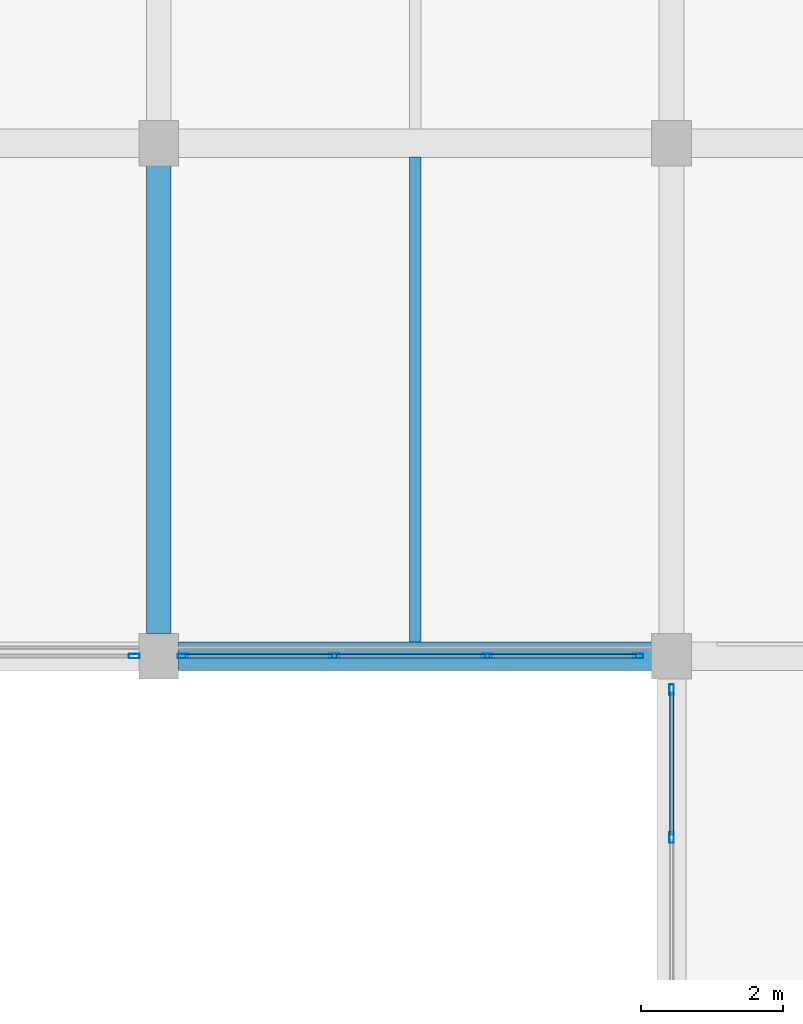
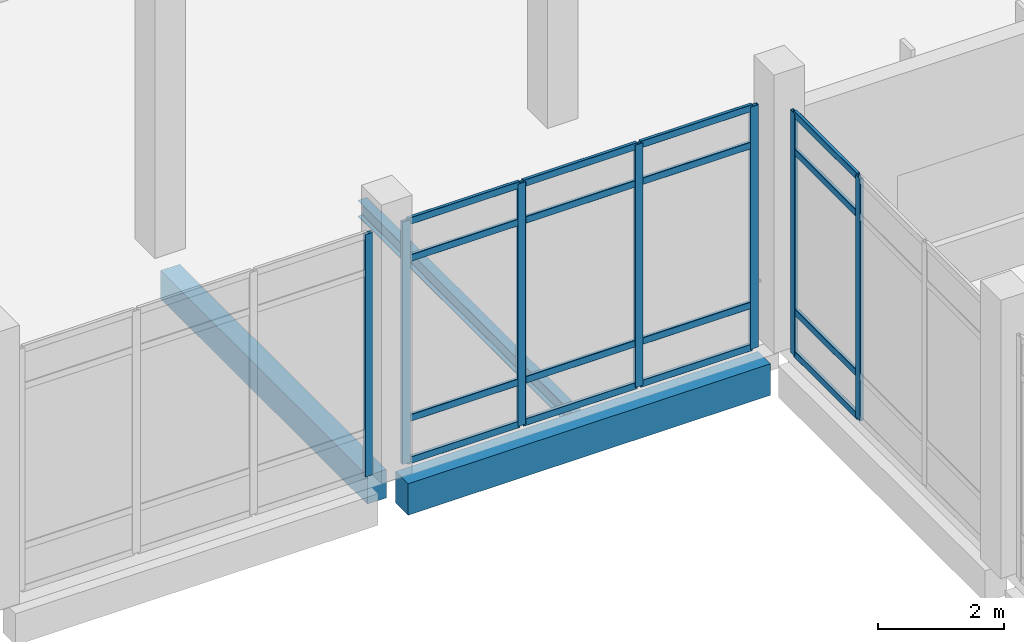
# One storey, part 117 of 180: 23 members, 3 beams, 3 elements without a shape of their own.
"""IFC4 building model written with IfcOpenShell, lengths in metres."""

import ifcopenshell
import ifcopenshell.guid

model = None  # the IFC model being written
_history = None  # IfcOwnerHistory: only IFC2X3 demands one
_inside = {}  # id of a spatial element -> (the spatial element, [elements in it])
_under = {}  # id of a project, library or spatial element -> (it, [spatial elements below it])
_declared = {}  # id of a project -> (the project, [libraries it declares])
_typed = {}  # id of a type object -> (the type object, [elements of that type])
_made_of = {}  # id of a material, layer set ... -> (it, [elements and type objects made of it])


def new_model(schema):
    """Start an empty IFC model of exactly this schema.

    Asked for "IFC4X3", IfcOpenShell would pick the latest addendum, in which some entities
    have other attributes; the version numbers below select the first issue.
    IFC2X3 requires an IfcOwnerHistory on every rooted entity: one is made here for all.
    """
    global model, _history
    if schema == "IFC4X3":
        model = ifcopenshell.file(schema_version=(4, 3, 0, 0))
    else:
        model = ifcopenshell.file(schema=schema)
    _inside.clear()
    _under.clear()
    _declared.clear()
    _typed.clear()
    _made_of.clear()
    _history = None
    if model.schema == "IFC2X3":
        org = make("IfcOrganization", Name="unknown")
        user = make(
            "IfcPersonAndOrganization",
            ThePerson=make("IfcPerson", FamilyName="unknown"),
            TheOrganization=org,
        )
        app = make(
            "IfcApplication",
            ApplicationDeveloper=org,
            Version="unknown",
            ApplicationFullName="unknown",
            ApplicationIdentifier="unknown",
        )
        _history = make(
            "IfcOwnerHistory",
            OwningUser=user,
            OwningApplication=app,
            ChangeAction="ADDED",
            CreationDate=0,
        )
    return model


def make(cls, **values):
    """One entity of the class cls with the attributes given. An attribute that is None is left unset."""
    return model.create_entity(
        cls, **{name: value for name, value in values.items() if value is not None}
    )


def rooted(cls, **values):
    """An entity with a GlobalId (a new one), such as an element, a storey or a relation."""
    return make(cls, GlobalId=ifcopenshell.guid.new(), OwnerHistory=_history, **values)


def si_unit(unit_type, name, prefix=None):
    """IfcSIUnit, for example si_unit("LENGTHUNIT", "METRE", prefix="MILLI")."""
    return make("IfcSIUnit", UnitType=unit_type, Prefix=prefix, Name=name)


def assignment(units):
    """IfcUnitAssignment: the units of a project."""
    return None if units is None else make("IfcUnitAssignment", Units=units)


def point(xyz):
    """IfcCartesianPoint."""
    return None if xyz is None else make("IfcCartesianPoint", Coordinates=xyz)


def direction(xyz):
    """IfcDirection."""
    return None if xyz is None else make("IfcDirection", DirectionRatios=xyz)


def frame(location, z_axis=None, x_axis=None):
    """IfcAxis2Placement3D, a coordinate frame: its origin and axes. An axis left out is left unset."""
    return make(
        "IfcAxis2Placement3D",
        Location=point(location),
        Axis=direction(z_axis),
        RefDirection=direction(x_axis),
    )


def frame_2d(location, x_axis=None):
    """IfcAxis2Placement2D, a coordinate frame in the plane: its origin and x axis."""
    return make(
        "IfcAxis2Placement2D", Location=point(location), RefDirection=direction(x_axis)
    )


def origin():
    """The frame at (0, 0, 0) with its axes left unset."""
    return frame((0.0, 0.0, 0.0))


def origin_2d():
    """The frame at (0, 0) in the plane with its x axis left unset."""
    return frame_2d((0.0, 0.0))


def place(relative_to, where):
    """IfcLocalPlacement: puts the frame where relative to a parent placement (None: the world)."""
    return make(
        "IfcLocalPlacement", PlacementRelTo=relative_to, RelativePlacement=where
    )


def context(
    kind, dimensions, precision=None, world=None, true_north=None, identifier=None
):
    """IfcGeometricRepresentationContext, for example the 3D "Model" context."""
    return make(
        "IfcGeometricRepresentationContext",
        ContextIdentifier=identifier,
        ContextType=kind,
        CoordinateSpaceDimension=dimensions,
        Precision=precision,
        WorldCoordinateSystem=world,
        TrueNorth=true_north,
    )


def subcontext(parent, identifier, kind, view, scale=None):
    """IfcGeometricRepresentationSubContext, for example "Body" below "Model"."""
    return make(
        "IfcGeometricRepresentationSubContext",
        ContextIdentifier=identifier,
        ContextType=kind,
        ParentContext=parent,
        TargetScale=scale,
        TargetView=view,
    )


def project(units=None, contexts=None):
    """IfcProject with its units and contexts."""
    return rooted(
        "IfcProject",
        Name="project",
        RepresentationContexts=contexts,
        UnitsInContext=assignment(units),
    )


def spatial(cls, under=None, at=None, **own):
    """A site, building, storey or space (cls), placed at a placement, below another one or the project."""
    s = rooted(cls, ObjectPlacement=at, **own)
    if under is not None:
        _under.setdefault(under.id(), (under, []))[1].append(s)
    return s


def profile(cls, at=None, kind="AREA", **sizes):
    """A parametric profile (cls). Its sizes go by their IFC names, for example OverallWidth=200.0."""
    return make(cls, ProfileType=kind, Position=at, **sizes)


def rectangle(**sizes):
    """IfcRectangleProfileDef."""
    return profile("IfcRectangleProfileDef", **sizes)


def hollow_rectangle(**sizes):
    """IfcRectangleHollowProfileDef."""
    return profile("IfcRectangleHollowProfileDef", **sizes)


def i_section(**sizes):
    """IfcIShapeProfileDef."""
    return profile("IfcIShapeProfileDef", **sizes)


def extrude(swept, where, along, depth):
    """IfcExtrudedAreaSolid: the profile swept, set in the frame where, extruded along a direction by depth."""
    return make(
        "IfcExtrudedAreaSolid",
        SweptArea=swept,
        Position=where,
        ExtrudedDirection=direction(along),
        Depth=depth,
    )


def shape(context_of_items, identifier, shape_type, items):
    """IfcShapeRepresentation: the items that make up one representation, for example the "Body"."""
    return make(
        "IfcShapeRepresentation",
        ContextOfItems=context_of_items,
        RepresentationIdentifier=identifier,
        RepresentationType=shape_type,
        Items=items,
    )


def material(Name=None, Category=None):
    """IfcMaterial."""
    return make("IfcMaterial", Name=Name, Category=Category)


def material_profile(
    of_material, cross_section, Name=None, Category=None, Priority=None
):
    """IfcMaterialProfile: a cross section and its material."""
    return make(
        "IfcMaterialProfile",
        Name=Name,
        Material=of_material,
        Profile=cross_section,
        Priority=Priority,
        Category=Category,
    )


def profile_set(profiles, Name=None, composite=None):
    """IfcMaterialProfileSet."""
    return make(
        "IfcMaterialProfileSet",
        Name=Name,
        MaterialProfiles=profiles,
        CompositeProfile=composite,
    )


def made_of(thing, what):
    """Note that an element or type object is made of a material, layer set ...; save() writes the relation."""
    if what is not None:
        _made_of.setdefault(what.id(), (what, []))[1].append(thing)
    return thing


def type_object(cls, material=None, **own):
    """A type object (cls), such as IfcWallType, which elements share."""
    return made_of(rooted(cls, **own), material)


def element(
    cls,
    number,
    at=None,
    inside=None,
    cuts=None,
    type_object=None,
    material=None,
    context=None,
    identifier="Body",
    shape_type=None,
    held_by="IfcProductDefinitionShape",
    body=None,
    shapes=None,
    **own,
):
    """One element of the class cls, such as IfcWall. Its Tag is "e" and its number.

    at: its placement. inside: the storey or other place that contains it. cuts: it is an
    opening in that element (IfcRelVoidsElement). A single representation is given by context,
    identifier, shape_type and body (its items); several are given by shapes. held_by: the class
    of the entity that holds the representations. save() writes the other relations.
    """
    e = rooted(cls, Tag="e%d" % number, ObjectPlacement=at, **own)
    if body is not None:
        shapes = [shape(context, identifier, shape_type, body)]
    if shapes is not None:
        e.Representation = make(held_by, Representations=shapes)
    if inside is not None:
        _inside.setdefault(inside.id(), (inside, []))[1].append(e)
    if cuts is not None:
        rooted(
            "IfcRelVoidsElement", RelatingBuildingElement=cuts, RelatedOpeningElement=e
        )
    if type_object is not None:
        _typed.setdefault(type_object.id(), (type_object, []))[1].append(e)
    return made_of(e, material)


def aggregate(whole, parts):
    """IfcRelAggregates: a whole, such as a stair, and the parts it consists of."""
    return rooted("IfcRelAggregates", RelatingObject=whole, RelatedObjects=parts)


def save(model, path):
    """Write the relations noted so far, then the file.

    IfcRelAggregates (storeys below a building ...), IfcRelContainedInSpatialStructure (elements
    in a storey), IfcRelDefinesByType, IfcRelAssociatesMaterial and IfcRelDeclares: one each for
    every whole, place, type object, material and project.
    """
    for whole, parts in _under.values():
        aggregate(whole, parts)
    for where, things in _inside.values():
        rooted(
            "IfcRelContainedInSpatialStructure",
            RelatedElements=things,
            RelatingStructure=where,
        )
    for kind, things in _typed.values():
        rooted("IfcRelDefinesByType", RelatedObjects=things, RelatingType=kind)
    for what, things in _made_of.values():
        rooted("IfcRelAssociatesMaterial", RelatedObjects=things, RelatingMaterial=what)
    for by, libraries in _declared.values():
        rooted("IfcRelDeclares", RelatingContext=by, RelatedDefinitions=libraries)
    model.write(path)


model = new_model("IFC4")

# Units and contexts
model_context = context("Model", 3, precision=1e-05, world=origin(), true_north=direction((0.0, 1.0)))
body_context = subcontext(model_context, "Body", "Model", "MODEL_VIEW")
ifc_project = project(units=[si_unit("LENGTHUNIT", "METRE"), si_unit("AREAUNIT", "SQUARE_METRE"), si_unit("VOLUMEUNIT", "CUBIC_METRE"), si_unit("PLANEANGLEUNIT", "RADIAN"), si_unit("MASSUNIT", "GRAM", prefix="KILO")], contexts=[model_context])

# Site, building, storey
site_placement = place(None, origin())
site = spatial("IfcSite", under=ifc_project, at=site_placement, CompositionType="ELEMENT")
building_placement = place(site_placement, origin())
building = spatial("IfcBuilding", under=site, at=building_placement, Name="Lusvemor Sports Hall", CompositionType="ELEMENT")
storey_placement = place(building_placement, frame((0.0, 0.0, 5.39990234375)))
storey = spatial("IfcBuildingStorey", under=building, at=storey_placement, Name="L01", CompositionType="ELEMENT", Elevation=5.39990234375)

# Beam
ifc_material_1 = material(Name="Concrete C40/50", Category="concrete")
ifc_material_profile_1 = material_profile(ifc_material_1, rectangle(XDim=0.35009765625, YDim=0.550048828125, at=origin_2d()), Name="RC350x550")
ifc_profile_set_1 = profile_set([ifc_material_profile_1], Name="Concrete C40/50")
beam_type_1 = type_object("IfcBeamType", Name="BEAM_RC_550", PredefinedType="BEAM", material=ifc_profile_set_1)
beam_1_placement = place(storey_placement, frame((126.0, 83.115966796875, -0.544921875), z_axis=(0.0, 1.0, 0.0), x_axis=(-1.0, 0.0, 0.0)))
element("IfcBeam", 1, at=beam_1_placement, inside=storey, type_object=beam_type_1, Name="Beam L01 14:L-M", PredefinedType="BEAM", context=body_context, shape_type="SweptSolid", body=[
    extrude(rectangle(XDim=0.35009765625, YDim=0.550048828125, at=origin_2d()), origin(), (0.0, 0.0, 1.0), 6.568115234375),
])

# Curtain wall, members
ifc_material_2 = material(Name="Thermally broken bronze-anodized aluminium", Category="aluminium")
curtain_wall_type_1 = type_object("IfcCurtainWallType", Name="CW_PASSAGE_E", PredefinedType="NOTDEFINED", material=ifc_material_2)
curtain_wall_1_placement = place(storey_placement, origin())
curtain_wall_1 = element("IfcCurtainWall", 2, at=curtain_wall_1_placement, inside=storey, type_object=curtain_wall_type_1, Name="Curtain Wall CW-NLINK-133-L01", PredefinedType="NOTDEFINED")
ifc_material_3 = material(Name="Thermally broken bronze-anodized aluminium", Category="aluminium")
ifc_material_profile_2 = material_profile(ifc_material_3, hollow_rectangle(XDim=0.06494140625, YDim=0.14990234375, WallThickness=0.00390625, InnerFilletRadius=0.00390625, OuterFilletRadius=0.008056640625, at=origin_2d()), Name="CWMUL150x65x4")
ifc_profile_set_2 = profile_set([ifc_material_profile_2], Name="Thermally broken bronze-anodized aluminium")
member_type_1 = type_object("IfcMemberType", Name="CW_MUL_B", PredefinedType="MULLION", material=ifc_profile_set_2)
member_1_placement = place(storey_placement, frame((133.199951171875, 80.25341796875, 0.0), z_axis=(0.0, 0.0, 1.0), x_axis=(-1.0, 0.0, 0.0)))
member_1 = element("IfcMember", 3, at=member_1_placement, type_object=member_type_1, Name="CW05 mullion 3", PredefinedType="MULLION", context=body_context, shape_type="SweptSolid", body=[
    extrude(hollow_rectangle(XDim=0.06494140625, YDim=0.14990234375, WallThickness=0.00390625, InnerFilletRadius=0.00390625, OuterFilletRadius=0.008056640625, at=origin_2d()), origin(), (0.0, 0.0, 1.0), 4.7001953125),
])
member_2_placement = place(storey_placement, frame((133.199951171875, 82.327392578125, 0.0), z_axis=(0.0, 0.0, 1.0), x_axis=(-1.0, 0.0, 0.0)))
member_2 = element("IfcMember", 4, at=member_2_placement, type_object=member_type_1, Name="CW05 mullion 4", PredefinedType="MULLION", context=body_context, shape_type="SweptSolid", body=[
    extrude(hollow_rectangle(XDim=0.06494140625, YDim=0.14990234375, WallThickness=0.00390625, InnerFilletRadius=0.00390625, OuterFilletRadius=0.008056640625, at=origin_2d()), origin(), (0.0, 0.0, 1.0), 4.7001953125),
])

ifc_material_4 = material(Name="Thermally broken bronze-anodized aluminium", Category="aluminium")
curtain_wall_type_2 = type_object("IfcCurtainWallType", Name="CW_WING_B", PredefinedType="NOTDEFINED", material=ifc_material_4)
curtain_wall_2_placement = place(storey_placement, origin())
curtain_wall_2 = element("IfcCurtainWall", 5, at=curtain_wall_2_placement, inside=storey, type_object=curtain_wall_type_2, Name="Curtain Wall CW-V5NE-S-L01-A", PredefinedType="NOTDEFINED")
member_3_placement = place(storey_placement, frame((132.7275390625, 82.800048828125, 0.0), z_axis=(0.0, 0.0, 1.0), x_axis=(0.0, -1.0, 0.0)))
member_3 = element("IfcMember", 6, at=member_3_placement, type_object=member_type_1, Name="CW02 mullion 1", PredefinedType="MULLION", context=body_context, shape_type="SweptSolid", body=[
    extrude(hollow_rectangle(XDim=0.06494140625, YDim=0.14990234375, WallThickness=0.00390625, InnerFilletRadius=0.00390625, OuterFilletRadius=0.008056640625, at=origin_2d()), origin(), (0.0, 0.0, 1.0), 4.7001953125),
])
member_4_placement = place(storey_placement, frame((130.610107421875, 82.800048828125, 0.0), z_axis=(0.0, 0.0, 1.0), x_axis=(0.0, -1.0, 0.0)))
member_4 = element("IfcMember", 7, at=member_4_placement, type_object=member_type_1, Name="CW02 mullion 2", PredefinedType="MULLION", context=body_context, shape_type="SweptSolid", body=[
    extrude(hollow_rectangle(XDim=0.06494140625, YDim=0.14990234375, WallThickness=0.00390625, InnerFilletRadius=0.00390625, OuterFilletRadius=0.008056640625, at=origin_2d()), origin(), (0.0, 0.0, 1.0), 4.7001953125),
])
member_5_placement = place(storey_placement, frame((128.4599609375, 82.800048828125, 0.0), z_axis=(0.0, 0.0, 1.0), x_axis=(0.0, -1.0, 0.0)))
member_5 = element("IfcMember", 8, at=member_5_placement, type_object=member_type_1, Name="CW02 mullion 3", PredefinedType="MULLION", context=body_context, shape_type="SweptSolid", body=[
    extrude(hollow_rectangle(XDim=0.06494140625, YDim=0.14990234375, WallThickness=0.00390625, InnerFilletRadius=0.00390625, OuterFilletRadius=0.008056640625, at=origin_2d()), origin(), (0.0, 0.0, 1.0), 4.7001953125),
])
member_6_placement = place(storey_placement, frame((126.342529296875, 82.800048828125, 0.0), z_axis=(0.0, 0.0, 1.0), x_axis=(0.0, -1.0, 0.0)))
member_6 = element("IfcMember", 9, at=member_6_placement, type_object=member_type_1, Name="CW02 mullion 4", PredefinedType="MULLION", context=body_context, shape_type="SweptSolid", body=[
    extrude(hollow_rectangle(XDim=0.06494140625, YDim=0.14990234375, WallThickness=0.00390625, InnerFilletRadius=0.00390625, OuterFilletRadius=0.008056640625, at=origin_2d()), origin(), (0.0, 0.0, 1.0), 4.7001953125),
])

# Curtain wall, member
curtain_wall_3_placement = place(storey_placement, origin())
curtain_wall_3 = element("IfcCurtainWall", 10, at=curtain_wall_3_placement, inside=storey, type_object=curtain_wall_type_2, Name="Curtain Wall CW-V5NE-S-L01-B", PredefinedType="NOTDEFINED")
member_7_placement = place(storey_placement, frame((125.657470703125, 82.800048828125, 0.0), z_axis=(0.0, 0.0, 1.0), x_axis=(0.0, -1.0, 0.0)))
member_7 = element("IfcMember", 11, at=member_7_placement, type_object=member_type_1, Name="CW02 mullion 1", PredefinedType="MULLION", context=body_context, shape_type="SweptSolid", body=[
    extrude(hollow_rectangle(XDim=0.06494140625, YDim=0.14990234375, WallThickness=0.00390625, InnerFilletRadius=0.00390625, OuterFilletRadius=0.008056640625, at=origin_2d()), origin(), (0.0, 0.0, 1.0), 4.7001953125),
])
aggregate(curtain_wall_3, [member_7])

# Member
ifc_material_5 = material(Name="Thermally broken bronze-anodized aluminium", Category="aluminium")
ifc_material_profile_3 = material_profile(ifc_material_5, hollow_rectangle(XDim=0.06005859375, YDim=0.135009765625, WallThickness=0.00390625, InnerFilletRadius=0.00390625, OuterFilletRadius=0.008056640625, at=origin_2d()), Name="CWTRN135x60x4")
ifc_profile_set_3 = profile_set([ifc_material_profile_3], Name="Thermally broken bronze-anodized aluminium")
member_type_2 = type_object("IfcMemberType", Name="CW_TRN_B", PredefinedType="USERDEFINED", material=ifc_profile_set_3)
member_8_placement = place(storey_placement, frame((133.199951171875, 80.285888671875, 0.030029296875), z_axis=(0.0, 1.0, 0.0), x_axis=(-1.0, 0.0, 0.0)))
member_8 = element("IfcMember", 12, at=member_8_placement, type_object=member_type_2, Name="CW05 transom 3.1", ObjectType="TRANSOM", PredefinedType="USERDEFINED", context=body_context, shape_type="SweptSolid", body=[
    extrude(hollow_rectangle(XDim=0.06005859375, YDim=0.135009765625, WallThickness=0.00390625, InnerFilletRadius=0.00390625, OuterFilletRadius=0.008056640625, at=origin_2d()), origin(), (0.0, 0.0, 1.0), 2.009033203125),
])

member_9_placement = place(storey_placement, frame((133.199951171875, 80.285888671875, 0.85009765625), z_axis=(0.0, 1.0, 0.0), x_axis=(-1.0, 0.0, 0.0)))
member_9 = element("IfcMember", 13, at=member_9_placement, type_object=member_type_2, Name="CW05 transom 3.2", ObjectType="TRANSOM", PredefinedType="USERDEFINED", context=body_context, shape_type="SweptSolid", body=[
    extrude(hollow_rectangle(XDim=0.06005859375, YDim=0.135009765625, WallThickness=0.00390625, InnerFilletRadius=0.00390625, OuterFilletRadius=0.008056640625, at=origin_2d()), origin(), (0.0, 0.0, 1.0), 2.009033203125),
])

member_10_placement = place(storey_placement, frame((133.199951171875, 80.285888671875, 3.9501953125), z_axis=(0.0, 1.0, 0.0), x_axis=(-1.0, 0.0, 0.0)))
member_10 = element("IfcMember", 14, at=member_10_placement, type_object=member_type_2, Name="CW05 transom 3.3", ObjectType="TRANSOM", PredefinedType="USERDEFINED", context=body_context, shape_type="SweptSolid", body=[
    extrude(hollow_rectangle(XDim=0.06005859375, YDim=0.135009765625, WallThickness=0.00390625, InnerFilletRadius=0.00390625, OuterFilletRadius=0.008056640625, at=origin_2d()), origin(), (0.0, 0.0, 1.0), 2.009033203125),
])

member_11_placement = place(storey_placement, frame((133.199951171875, 80.285888671875, 4.670166015625), z_axis=(0.0, 1.0, 0.0), x_axis=(-1.0, 0.0, 0.0)))
member_11 = element("IfcMember", 15, at=member_11_placement, type_object=member_type_2, Name="CW05 transom 3.4", ObjectType="TRANSOM", PredefinedType="USERDEFINED", context=body_context, shape_type="SweptSolid", body=[
    extrude(hollow_rectangle(XDim=0.06005859375, YDim=0.135009765625, WallThickness=0.00390625, InnerFilletRadius=0.00390625, OuterFilletRadius=0.008056640625, at=origin_2d()), origin(), (0.0, 0.0, 1.0), 2.009033203125),
])

aggregate(curtain_wall_1, [member_1, member_2, member_8, member_9, member_10, member_11])

member_12_placement = place(storey_placement, frame((132.695068359375, 82.800048828125, 0.030029296875), z_axis=(-1.0, 0.0, 0.0), x_axis=(0.0, -1.0, 0.0)))
member_12 = element("IfcMember", 16, at=member_12_placement, type_object=member_type_2, Name="CW02 transom 1.1", ObjectType="TRANSOM", PredefinedType="USERDEFINED", context=body_context, shape_type="SweptSolid", body=[
    extrude(hollow_rectangle(XDim=0.06005859375, YDim=0.135009765625, WallThickness=0.00390625, InnerFilletRadius=0.00390625, OuterFilletRadius=0.008056640625, at=origin_2d()), origin(), (0.0, 0.0, 1.0), 2.052490234375),
])

member_13_placement = place(storey_placement, frame((132.695068359375, 82.800048828125, 0.85009765625), z_axis=(-1.0, 0.0, 0.0), x_axis=(0.0, -1.0, 0.0)))
member_13 = element("IfcMember", 17, at=member_13_placement, type_object=member_type_2, Name="CW02 transom 1.2", ObjectType="TRANSOM", PredefinedType="USERDEFINED", context=body_context, shape_type="SweptSolid", body=[
    extrude(hollow_rectangle(XDim=0.06005859375, YDim=0.135009765625, WallThickness=0.00390625, InnerFilletRadius=0.00390625, OuterFilletRadius=0.008056640625, at=origin_2d()), origin(), (0.0, 0.0, 1.0), 2.052490234375),
])

member_14_placement = place(storey_placement, frame((132.695068359375, 82.800048828125, 3.9501953125), z_axis=(-1.0, 0.0, 0.0), x_axis=(0.0, -1.0, 0.0)))
member_14 = element("IfcMember", 18, at=member_14_placement, type_object=member_type_2, Name="CW02 transom 1.3", ObjectType="TRANSOM", PredefinedType="USERDEFINED", context=body_context, shape_type="SweptSolid", body=[
    extrude(hollow_rectangle(XDim=0.06005859375, YDim=0.135009765625, WallThickness=0.00390625, InnerFilletRadius=0.00390625, OuterFilletRadius=0.008056640625, at=origin_2d()), origin(), (0.0, 0.0, 1.0), 2.052490234375),
])

member_15_placement = place(storey_placement, frame((132.695068359375, 82.800048828125, 4.670166015625), z_axis=(-1.0, 0.0, 0.0), x_axis=(0.0, -1.0, 0.0)))
member_15 = element("IfcMember", 19, at=member_15_placement, type_object=member_type_2, Name="CW02 transom 1.4", ObjectType="TRANSOM", PredefinedType="USERDEFINED", context=body_context, shape_type="SweptSolid", body=[
    extrude(hollow_rectangle(XDim=0.06005859375, YDim=0.135009765625, WallThickness=0.00390625, InnerFilletRadius=0.00390625, OuterFilletRadius=0.008056640625, at=origin_2d()), origin(), (0.0, 0.0, 1.0), 2.052490234375),
])

member_16_placement = place(storey_placement, frame((130.577392578125, 82.800048828125, 0.030029296875), z_axis=(-1.0, 0.0, 0.0), x_axis=(0.0, -1.0, 0.0)))
member_16 = element("IfcMember", 20, at=member_16_placement, type_object=member_type_2, Name="CW02 transom 2.1", ObjectType="TRANSOM", PredefinedType="USERDEFINED", context=body_context, shape_type="SweptSolid", body=[
    extrude(hollow_rectangle(XDim=0.06005859375, YDim=0.135009765625, WallThickness=0.00390625, InnerFilletRadius=0.00390625, OuterFilletRadius=0.008056640625, at=origin_2d()), origin(), (0.0, 0.0, 1.0), 2.0849609375),
])

member_17_placement = place(storey_placement, frame((130.577392578125, 82.800048828125, 0.85009765625), z_axis=(-1.0, 0.0, 0.0), x_axis=(0.0, -1.0, 0.0)))
member_17 = element("IfcMember", 21, at=member_17_placement, type_object=member_type_2, Name="CW02 transom 2.2", ObjectType="TRANSOM", PredefinedType="USERDEFINED", context=body_context, shape_type="SweptSolid", body=[
    extrude(hollow_rectangle(XDim=0.06005859375, YDim=0.135009765625, WallThickness=0.00390625, InnerFilletRadius=0.00390625, OuterFilletRadius=0.008056640625, at=origin_2d()), origin(), (0.0, 0.0, 1.0), 2.0849609375),
])

member_18_placement = place(storey_placement, frame((130.577392578125, 82.800048828125, 3.9501953125), z_axis=(-1.0, 0.0, 0.0), x_axis=(0.0, -1.0, 0.0)))
member_18 = element("IfcMember", 22, at=member_18_placement, type_object=member_type_2, Name="CW02 transom 2.3", ObjectType="TRANSOM", PredefinedType="USERDEFINED", context=body_context, shape_type="SweptSolid", body=[
    extrude(hollow_rectangle(XDim=0.06005859375, YDim=0.135009765625, WallThickness=0.00390625, InnerFilletRadius=0.00390625, OuterFilletRadius=0.008056640625, at=origin_2d()), origin(), (0.0, 0.0, 1.0), 2.0849609375),
])

member_19_placement = place(storey_placement, frame((130.577392578125, 82.800048828125, 4.670166015625), z_axis=(-1.0, 0.0, 0.0), x_axis=(0.0, -1.0, 0.0)))
member_19 = element("IfcMember", 23, at=member_19_placement, type_object=member_type_2, Name="CW02 transom 2.4", ObjectType="TRANSOM", PredefinedType="USERDEFINED", context=body_context, shape_type="SweptSolid", body=[
    extrude(hollow_rectangle(XDim=0.06005859375, YDim=0.135009765625, WallThickness=0.00390625, InnerFilletRadius=0.00390625, OuterFilletRadius=0.008056640625, at=origin_2d()), origin(), (0.0, 0.0, 1.0), 2.0849609375),
])

member_20_placement = place(storey_placement, frame((128.427490234375, 82.800048828125, 0.030029296875), z_axis=(-1.0, 0.0, 0.0), x_axis=(0.0, -1.0, 0.0)))
member_20 = element("IfcMember", 24, at=member_20_placement, type_object=member_type_2, Name="CW02 transom 3.1", ObjectType="TRANSOM", PredefinedType="USERDEFINED", context=body_context, shape_type="SweptSolid", body=[
    extrude(hollow_rectangle(XDim=0.06005859375, YDim=0.135009765625, WallThickness=0.00390625, InnerFilletRadius=0.00390625, OuterFilletRadius=0.008056640625, at=origin_2d()), origin(), (0.0, 0.0, 1.0), 2.052490234375),
])

member_21_placement = place(storey_placement, frame((128.427490234375, 82.800048828125, 0.85009765625), z_axis=(-1.0, 0.0, 0.0), x_axis=(0.0, -1.0, 0.0)))
member_21 = element("IfcMember", 25, at=member_21_placement, type_object=member_type_2, Name="CW02 transom 3.2", ObjectType="TRANSOM", PredefinedType="USERDEFINED", context=body_context, shape_type="SweptSolid", body=[
    extrude(hollow_rectangle(XDim=0.06005859375, YDim=0.135009765625, WallThickness=0.00390625, InnerFilletRadius=0.00390625, OuterFilletRadius=0.008056640625, at=origin_2d()), origin(), (0.0, 0.0, 1.0), 2.052490234375),
])

member_22_placement = place(storey_placement, frame((128.427490234375, 82.800048828125, 3.9501953125), z_axis=(-1.0, 0.0, 0.0), x_axis=(0.0, -1.0, 0.0)))
member_22 = element("IfcMember", 26, at=member_22_placement, type_object=member_type_2, Name="CW02 transom 3.3", ObjectType="TRANSOM", PredefinedType="USERDEFINED", context=body_context, shape_type="SweptSolid", body=[
    extrude(hollow_rectangle(XDim=0.06005859375, YDim=0.135009765625, WallThickness=0.00390625, InnerFilletRadius=0.00390625, OuterFilletRadius=0.008056640625, at=origin_2d()), origin(), (0.0, 0.0, 1.0), 2.052490234375),
])

member_23_placement = place(storey_placement, frame((128.427490234375, 82.800048828125, 4.670166015625), z_axis=(-1.0, 0.0, 0.0), x_axis=(0.0, -1.0, 0.0)))
member_23 = element("IfcMember", 27, at=member_23_placement, type_object=member_type_2, Name="CW02 transom 3.4", ObjectType="TRANSOM", PredefinedType="USERDEFINED", context=body_context, shape_type="SweptSolid", body=[
    extrude(hollow_rectangle(XDim=0.06005859375, YDim=0.135009765625, WallThickness=0.00390625, InnerFilletRadius=0.00390625, OuterFilletRadius=0.008056640625, at=origin_2d()), origin(), (0.0, 0.0, 1.0), 2.052490234375),
])

aggregate(curtain_wall_2, [member_3, member_4, member_5, member_6, member_12, member_13, member_14, member_15, member_16, member_17, member_18, member_19, member_20, member_21, member_22, member_23])

# Beams
ifc_material_6 = material(Name="Steel S355", Category="steel")
ifc_material_profile_4 = material_profile(ifc_material_6, i_section(OverallWidth=0.1669921875, OverallDepth=0.31689453125, WebThickness=0.007568359375, FlangeThickness=0.01318359375, FilletRadius=0.014892578125, at=origin_2d()), Name="W310x52.0")
ifc_profile_set_4 = profile_set([ifc_material_profile_4], Name="Steel S355")
beam_type_2 = type_object("IfcBeamType", Name="JOIST_ST_310M", PredefinedType="JOIST", material=ifc_profile_set_4)
beam_2_placement = place(storey_placement, frame((129.60009765625, 82.99609375, -0.432373046875), z_axis=(0.0, 1.0, 0.0), x_axis=(-1.0, 0.0, 0.0)))
element("IfcBeam", 28, at=beam_2_placement, inside=storey, type_object=beam_type_2, Name="Secondary Joist L01 14-15/L-M #1", PredefinedType="JOIST", context=body_context, shape_type="SweptSolid", body=[
    extrude(i_section(OverallWidth=0.1669921875, OverallDepth=0.31689453125, WebThickness=0.007568359375, FlangeThickness=0.01318359375, FilletRadius=0.014892578125, at=origin_2d()), origin(), (0.0, 0.0, 1.0), 6.807861328125),
])
ifc_material_7 = material(Name="Concrete C40/50", Category="concrete")
ifc_material_profile_5 = material_profile(ifc_material_7, rectangle(XDim=0.39990234375, YDim=0.610107421875, at=origin_2d()), Name="RC400x610")
ifc_profile_set_5 = profile_set([ifc_material_profile_5], Name="Concrete C40/50")
beam_type_3 = type_object("IfcBeamType", Name="SPAND_EXT_650", PredefinedType="SPANDREL", material=ifc_profile_set_5)
beam_3_placement = place(storey_placement, frame((126.27587890625, 82.800048828125, -0.574951171875), z_axis=(1.0, 0.0, 0.0), x_axis=(0.0, 1.0, 0.0)))
element("IfcBeam", 29, at=beam_3_placement, inside=storey, type_object=beam_type_3, Name="Beam L01 L:14-15", PredefinedType="SPANDREL", context=body_context, shape_type="SweptSolid", body=[
    extrude(rectangle(XDim=0.39990234375, YDim=0.610107421875, at=origin_2d()), origin(), (0.0, 0.0, 1.0), 6.648193359375),
])

save(model, "model.ifc")
